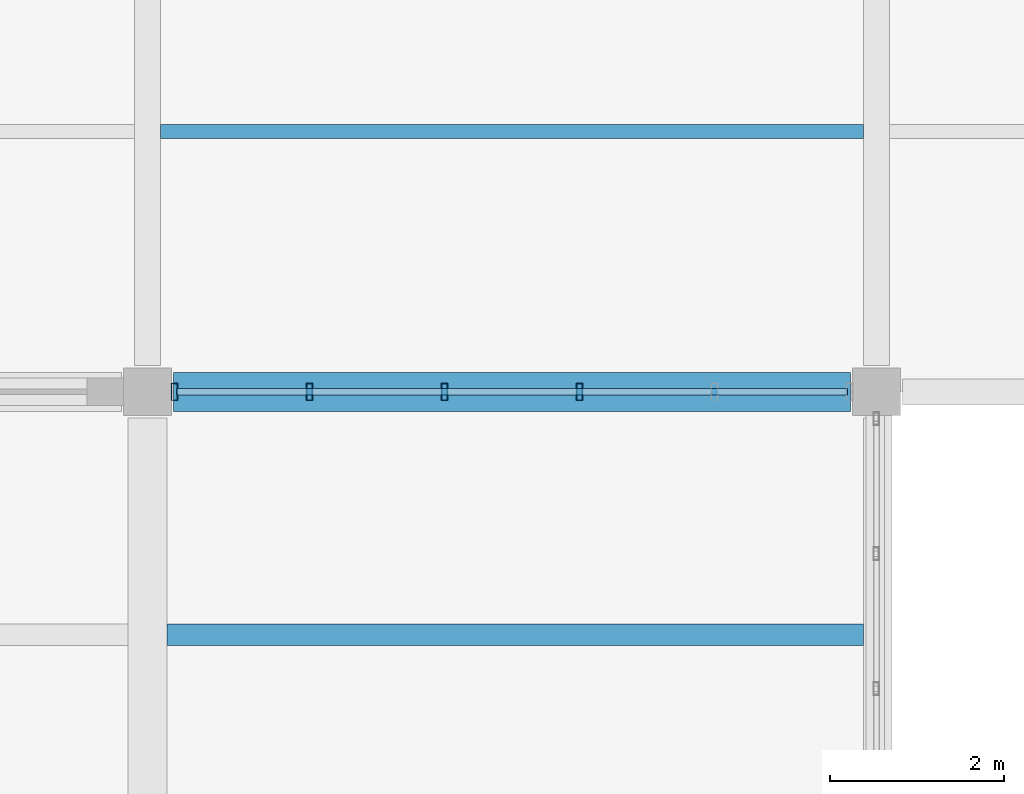
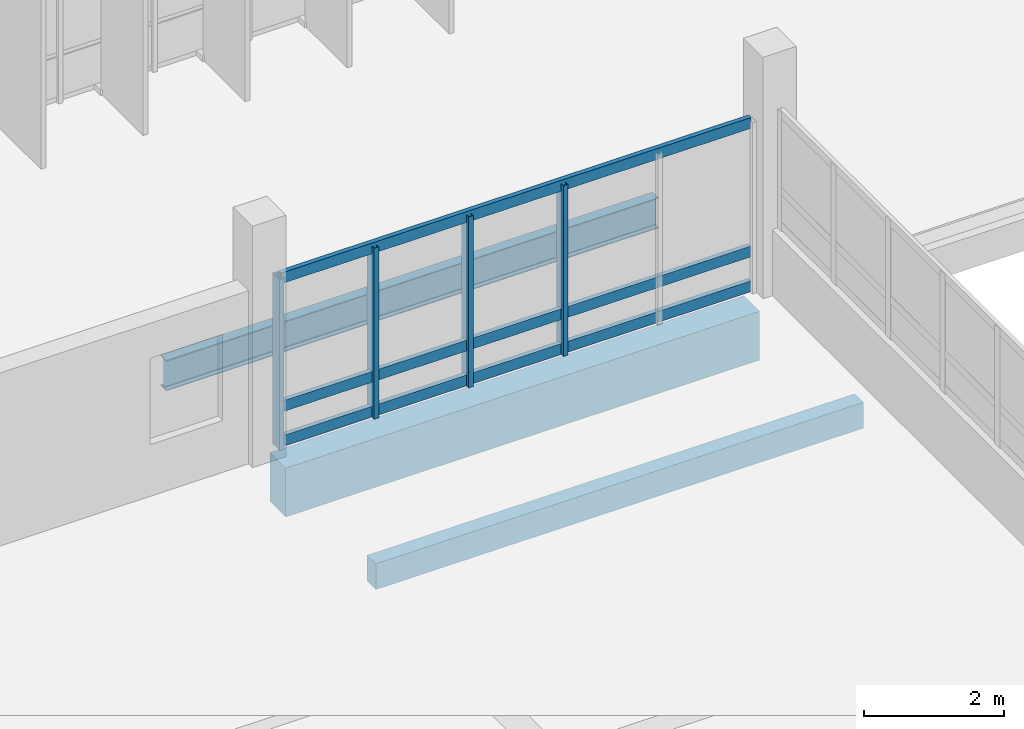
# One storey, part 54 of 130: 7 members, 3 beams, 1 element without a shape of its own.
"""IFC4 building model written with IfcOpenShell, lengths in metres."""

from ifc_helpers import new_model, si_unit, direction, frame, origin, origin_2d, place, context, subcontext, project, spatial, rectangle, hollow_rectangle, i_section, extrude, material, layer, layer_set, material_profile, profile_set, type_object, element, aggregate, save


model = new_model("IFC4")

# Units and contexts
model_context = context("Model", 3, precision=1e-05, world=origin(), true_north=direction((0.0, 1.0)))
body_context = subcontext(model_context, "Body", "Model", "MODEL_VIEW")
ifc_project = project(units=[si_unit("LENGTHUNIT", "METRE"), si_unit("AREAUNIT", "SQUARE_METRE"), si_unit("VOLUMEUNIT", "CUBIC_METRE"), si_unit("PLANEANGLEUNIT", "RADIAN"), si_unit("MASSUNIT", "GRAM", prefix="KILO")], contexts=[model_context])

# Site, building, storey
site_placement = place(None, origin())
site = spatial("IfcSite", under=ifc_project, at=site_placement, CompositionType="ELEMENT")
building_placement = place(site_placement, origin())
building = spatial("IfcBuilding", under=site, at=building_placement, Name="Vireocrest Preparatory School", CompositionType="ELEMENT")
storey_placement = place(building_placement, frame((0.0, 0.0, 9.0)))
storey = spatial("IfcBuildingStorey", under=building, at=storey_placement, Name="L02", CompositionType="ELEMENT", Elevation=9.0)

# Curtain wall, members
ifc_material_1 = material(Name="Thermally broken aluminium EN AW-6063-T6", Category="aluminium")
ifc_layer = layer(ifc_material_1, 0.179931640625)
ifc_layer_set = layer_set([ifc_layer], Name="Thermally broken aluminium EN AW-6063-T6")
curtain_wall_type = type_object("IfcCurtainWallType", Name="Side Facade Curtain Wall 9000x4200", PredefinedType="USERDEFINED", material=ifc_layer_set)
curtain_wall_placement = place(storey_placement, origin())
curtain_wall = element("IfcCurtainWall", 1, at=curtain_wall_placement, inside=storey, type_object=curtain_wall_type, Name="Curtain Wall CW07 CW_L02_CW07_0590_0858_090", ObjectType="CURTAIN WALL", PredefinedType="USERDEFINED")
ifc_material_profile_1 = material_profile(ifc_material_1, hollow_rectangle(XDim=0.074951171875, YDim=0.199951171875, WallThickness=0.0048828125, at=origin_2d()), Name="ALU 75x200x5")
ifc_profile_set_1 = profile_set([ifc_material_profile_1], Name="Thermally broken aluminium EN AW-6063-T6")
member_type_1 = type_object("IfcMemberType", Name="CW Mullion 75x200x5", PredefinedType="MULLION", material=ifc_profile_set_1)
member_1_placement = place(storey_placement, frame((59.110107421875, 85.800048828125, 0.0), z_axis=(0.0, 0.0, 1.0), x_axis=(1.0, 0.0, 0.0)))
member_1 = element("IfcMember", 2, at=member_1_placement, type_object=member_type_1, Name="CW Mullion ML3 CW_L02_CW07_0590_0858_090-1", PredefinedType="MULLION", context=body_context, shape_type="SweptSolid", body=[
    extrude(hollow_rectangle(XDim=0.074951171875, YDim=0.199951171875, WallThickness=0.0048828125, at=origin_2d()), origin(), (0.0, 0.0, 1.0), 2.97509765625),
])
member_2_placement = place(storey_placement, frame((60.666015625, 85.800048828125, 0.0), z_axis=(0.0, 0.0, 1.0), x_axis=(1.0, 0.0, 0.0)))
member_2 = element("IfcMember", 3, at=member_2_placement, type_object=member_type_1, Name="CW Mullion ML3 CW_L02_CW07_0590_0858_090-2", PredefinedType="MULLION", context=body_context, shape_type="SweptSolid", body=[
    extrude(hollow_rectangle(XDim=0.074951171875, YDim=0.199951171875, WallThickness=0.0048828125, at=origin_2d()), origin(), (0.0, 0.0, 1.0), 2.97509765625),
])
member_3_placement = place(storey_placement, frame((62.221923828125, 85.800048828125, 0.0), z_axis=(0.0, 0.0, 1.0), x_axis=(1.0, 0.0, 0.0)))
member_3 = element("IfcMember", 4, at=member_3_placement, type_object=member_type_1, Name="CW Mullion ML3 CW_L02_CW07_0590_0858_090-3", PredefinedType="MULLION", context=body_context, shape_type="SweptSolid", body=[
    extrude(hollow_rectangle(XDim=0.074951171875, YDim=0.199951171875, WallThickness=0.0048828125, at=origin_2d()), origin(), (0.0, 0.0, 1.0), 2.97509765625),
])
member_4_placement = place(storey_placement, frame((63.778076171875, 85.800048828125, 0.0), z_axis=(0.0, 0.0, 1.0), x_axis=(1.0, 0.0, 0.0)))
member_4 = element("IfcMember", 5, at=member_4_placement, type_object=member_type_1, Name="CW Mullion ML3 CW_L02_CW07_0590_0858_090-4", PredefinedType="MULLION", context=body_context, shape_type="SweptSolid", body=[
    extrude(hollow_rectangle(XDim=0.074951171875, YDim=0.199951171875, WallThickness=0.0048828125, at=origin_2d()), origin(), (0.0, 0.0, 1.0), 2.97509765625),
])
ifc_material_profile_2 = material_profile(ifc_material_1, hollow_rectangle(XDim=0.074951171875, YDim=0.18994140625, WallThickness=0.00390625, at=origin_2d()), Name="ALU 75x190x4")
ifc_profile_set_2 = profile_set([ifc_material_profile_2], Name="Thermally broken aluminium EN AW-6063-T6")
member_type_2 = type_object("IfcMemberType", Name="CW Transom 75x190x4", PredefinedType="USERDEFINED", material=ifc_profile_set_2)
member_5_placement = place(storey_placement, frame((59.135009765625, 85.800048828125, 0.094970703125), z_axis=(1.0, 0.0, 0.0), x_axis=(0.0, 1.0, 0.0)))
member_5 = element("IfcMember", 6, at=member_5_placement, type_object=member_type_2, Name="CW Transom TR3 CW_L02_CW07_0590_0858_090-1", ObjectType="TRANSOM", PredefinedType="USERDEFINED", context=body_context, shape_type="SweptSolid", body=[
    extrude(hollow_rectangle(XDim=0.074951171875, YDim=0.18994140625, WallThickness=0.00390625, at=origin_2d()), origin(), (0.0, 0.0, 1.0), 7.72998046875),
])
member_6_placement = place(storey_placement, frame((59.135009765625, 85.800048828125, 0.699951171875), z_axis=(1.0, 0.0, 0.0), x_axis=(0.0, 1.0, 0.0)))
member_6 = element("IfcMember", 7, at=member_6_placement, type_object=member_type_2, Name="CW Transom TR3 CW_L02_CW07_0590_0858_090-2", ObjectType="TRANSOM", PredefinedType="USERDEFINED", context=body_context, shape_type="SweptSolid", body=[
    extrude(hollow_rectangle(XDim=0.074951171875, YDim=0.18994140625, WallThickness=0.00390625, at=origin_2d()), origin(), (0.0, 0.0, 1.0), 7.72998046875),
])
member_7_placement = place(storey_placement, frame((59.135009765625, 85.800048828125, 2.93505859375), z_axis=(1.0, 0.0, 0.0), x_axis=(0.0, 1.0, 0.0)))
member_7 = element("IfcMember", 8, at=member_7_placement, type_object=member_type_2, Name="CW Transom TR3 CW_L02_CW07_0590_0858_090-3", ObjectType="TRANSOM", PredefinedType="USERDEFINED", context=body_context, shape_type="SweptSolid", body=[
    extrude(hollow_rectangle(XDim=0.074951171875, YDim=0.18994140625, WallThickness=0.00390625, at=origin_2d()), origin(), (0.0, 0.0, 1.0), 7.72998046875),
])
aggregate(curtain_wall, [member_1, member_2, member_3, member_4, member_5, member_6, member_7])

# Beams
ifc_material_2 = material(Name="Structural steel ASTM A992 Grade 50", Category="steel")
ifc_material_profile_3 = material_profile(ifc_material_2, i_section(OverallWidth=0.166015625, OverallDepth=0.529052734375, WebThickness=0.009765625, FlangeThickness=0.013671875, FilletRadius=0.014892578125, at=origin_2d()), Name="W21X50")
ifc_profile_set_3 = profile_set([ifc_material_profile_3], Name="Structural steel ASTM A992 Grade 50")
beam_type_1 = type_object("IfcBeamType", Name="Pavilion Roof Joist W21X50", PredefinedType="JOIST", material=ifc_profile_set_3)
beam_1_placement = place(storey_placement, frame((58.949951171875, 88.800048828125, -0.484619140625), z_axis=(1.0, 0.0, 0.0), x_axis=(0.0, 1.0, 0.0)))
element("IfcBeam", 9, at=beam_1_placement, inside=storey, type_object=beam_type_1, Name="Secondary Joist SJ1 L02-0940", PredefinedType="JOIST", context=body_context, shape_type="SweptSolid", body=[
    extrude(i_section(OverallWidth=0.166015625, OverallDepth=0.529052734375, WebThickness=0.009765625, FlangeThickness=0.013671875, FilletRadius=0.014892578125, at=origin_2d()), origin(), (0.0, 0.0, 1.0), 8.10009765625),
])
ifc_material_3 = material(Name="Concrete 40 MPa", Category="concrete")
ifc_material_profile_4 = material_profile(ifc_material_3, rectangle(XDim=0.449951171875, YDim=0.85009765625, at=origin_2d()), Name="RC 450x850")
ifc_profile_set_4 = profile_set([ifc_material_profile_4], Name="Concrete 40 MPa")
beam_type_2 = type_object("IfcBeamType", Name="RC Heavy Floor Girder 450x850", PredefinedType="BEAM", material=ifc_profile_set_4)
beam_2_placement = place(storey_placement, frame((59.10009765625, 85.800048828125, -0.6650390625), z_axis=(1.0, 0.0, 0.0), x_axis=(0.0, 1.0, 0.0)))
element("IfcBeam", 10, at=beam_2_placement, inside=storey, type_object=beam_type_2, Name="Primary Girder B13 L02-0749", PredefinedType="BEAM", context=body_context, shape_type="SweptSolid", body=[
    extrude(rectangle(XDim=0.449951171875, YDim=0.85009765625, at=origin_2d()), origin(), (0.0, 0.0, 1.0), 7.7998046875),
])
ifc_material_profile_5 = material_profile(ifc_material_3, rectangle(XDim=0.25, YDim=0.449951171875, at=origin_2d()), Name="RC 250x450")
ifc_profile_set_5 = profile_set([ifc_material_profile_5], Name="Concrete 40 MPa")
beam_type_3 = type_object("IfcBeamType", Name="RC Secondary Floor Joist 250x450", PredefinedType="JOIST", material=ifc_profile_set_5)
beam_3_placement = place(storey_placement, frame((59.02490234375, 83.0, -0.465087890625), z_axis=(1.0, 0.0, 0.0), x_axis=(0.0, 1.0, 0.0)))
element("IfcBeam", 11, at=beam_3_placement, inside=storey, type_object=beam_type_3, Name="Secondary Joist J01 L02-0939", PredefinedType="JOIST", context=body_context, shape_type="SweptSolid", body=[
    extrude(rectangle(XDim=0.25, YDim=0.449951171875, at=origin_2d()), origin(), (0.0, 0.0, 1.0), 8.025146484375),
])

save(model, "model.ifc")
